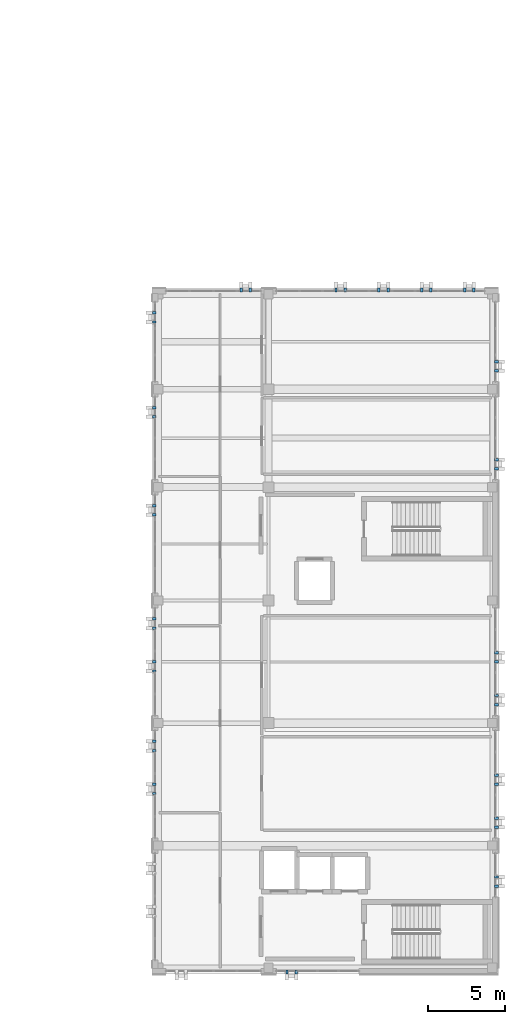
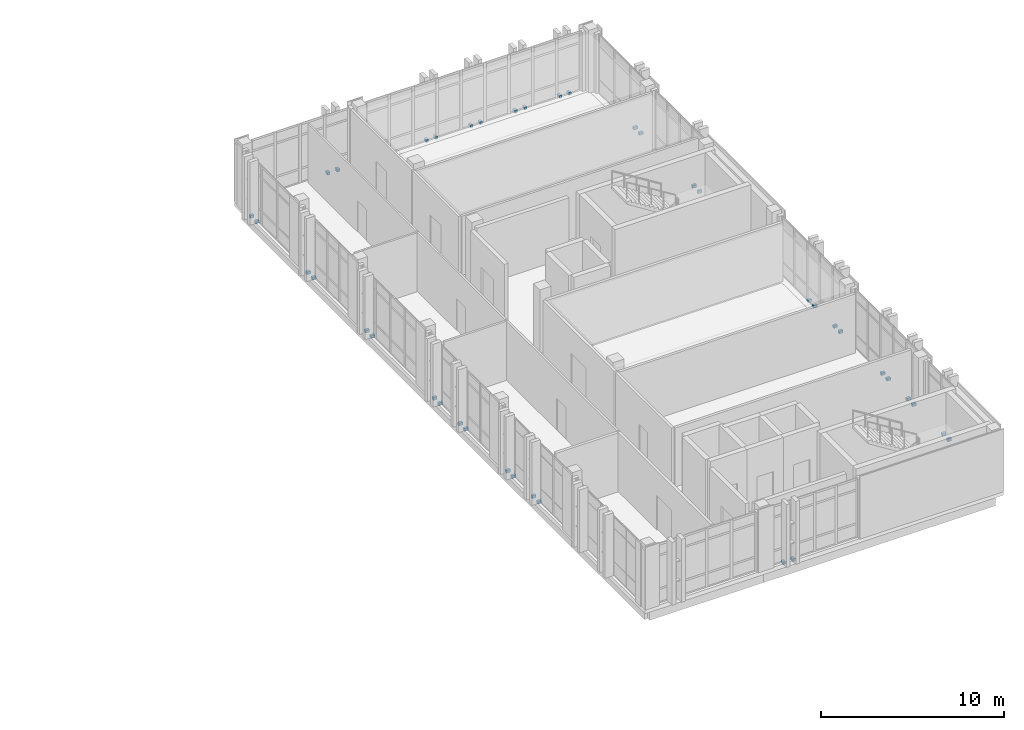
# One storey, part 67 of 77: 40 discrete accessories.
"""IFC4 building model written with IfcOpenShell, lengths in metres."""

from ifc_helpers import new_model, si_unit, direction, frame, origin, origin_2d, place, context, subcontext, project, spatial, rectangle, extrude, material, type_object, element, save


model = new_model("IFC4")

# Units and contexts
model_context = context("Model", 3, precision=1e-05, world=origin(), true_north=direction((0.0, 1.0)))
body_context = subcontext(model_context, "Body", "Model", "MODEL_VIEW")
ifc_project = project(units=[si_unit("LENGTHUNIT", "METRE"), si_unit("AREAUNIT", "SQUARE_METRE"), si_unit("VOLUMEUNIT", "CUBIC_METRE"), si_unit("PLANEANGLEUNIT", "RADIAN"), si_unit("MASSUNIT", "GRAM", prefix="KILO")], contexts=[model_context])

# Site, building, storey
site_placement = place(None, origin())
site = spatial("IfcSite", under=ifc_project, at=site_placement, CompositionType="ELEMENT")
building_placement = place(site_placement, origin())
building = spatial("IfcBuilding", under=site, at=building_placement, Name="Qalavern Law Courts", CompositionType="ELEMENT")
storey_placement = place(building_placement, frame((0.0, 0.0, 27.0)))
storey = spatial("IfcBuildingStorey", under=building, at=storey_placement, Name="L06", CompositionType="ELEMENT", Elevation=27.0)

# Discrete accessories
ifc_material = material(Name="Steel S355", Category="steel")
discrete_accessory_type = type_object("IfcDiscreteAccessoryType", Name="ENV-BRK-FIN", PredefinedType="BRACKET", material=ifc_material)
for number, where, z_axis, x_axis, name in (
    (1, (93.0, 41.14501953125, -0.06982421875), (0.0, 0.0, 1.0), (0.0, -1.0, 0.0), "Stone blade anchor bracket 0761"),
    (2, (93.60009765625, 41.14501953125, -0.06982421875), (0.0, 0.0, 1.0), (0.0, -1.0, 0.0), "Stone blade anchor bracket 0762"),
    (3, (106.675048828125, 46.75, -0.06982421875), (0.0, 0.0, 1.0), (1.0, 0.0, 0.0), "Stone blade anchor bracket 0763"),
    (4, (106.675048828125, 47.35009765625, -0.06982421875), (0.0, 0.0, 1.0), (1.0, 0.0, 0.0), "Stone blade anchor bracket 0764"),
    (5, (106.675048828125, 50.60009765625, -0.06982421875), (0.0, 0.0, 1.0), (1.0, 0.0, 0.0), "Stone blade anchor bracket 0765"),
    (6, (106.675048828125, 51.199951171875, -0.06982421875), (0.0, 0.0, 1.0), (1.0, 0.0, 0.0), "Stone blade anchor bracket 0766"),
    (7, (106.675048828125, 53.39990234375, -0.06982421875), (0.0, 0.0, 1.0), (1.0, 0.0, 0.0), "Stone blade anchor bracket 0767"),
    (8, (106.675048828125, 54.0, -0.06982421875), (0.0, 0.0, 1.0), (1.0, 0.0, 0.0), "Stone blade anchor bracket 0768"),
    (9, (106.675048828125, 58.60009765625, -0.06982421875), (0.0, 0.0, 1.0), (1.0, 0.0, 0.0), "Stone blade anchor bracket 0769"),
    (10, (106.675048828125, 59.199951171875, -0.06982421875), (0.0, 0.0, 1.0), (1.0, 0.0, 0.0), "Stone blade anchor bracket 0770"),
    (11, (106.675048828125, 61.39990234375, -0.06982421875), (0.0, 0.0, 1.0), (1.0, 0.0, 0.0), "Stone blade anchor bracket 0771"),
    (12, (106.675048828125, 62.0, -0.06982421875), (0.0, 0.0, 1.0), (1.0, 0.0, 0.0), "Stone blade anchor bracket 0772"),
    (13, (106.675048828125, 74.0, -0.06982421875), (0.0, 0.0, 1.0), (1.0, 0.0, 0.0), "Stone blade anchor bracket 0773"),
    (14, (106.675048828125, 74.60009765625, -0.06982421875), (0.0, 0.0, 1.0), (1.0, 0.0, 0.0), "Stone blade anchor bracket 0774"),
    (15, (106.675048828125, 80.39990234375, -0.06982421875), (0.0, 0.0, 1.0), (1.0, 0.0, 0.0), "Stone blade anchor bracket 0775"),
    (16, (106.675048828125, 81.0, -0.06982421875), (0.0, 0.0, 1.0), (1.0, 0.0, 0.0), "Stone blade anchor bracket 0776"),
    (17, (105.199951171875, 85.675048828125, -0.06982421875), (0.0, 0.0, 1.0), (0.0, 1.0, 0.0), "Stone blade anchor bracket 0777"),
    (18, (104.60009765625, 85.675048828125, -0.06982421875), (0.0, 0.0, 1.0), (0.0, 1.0, 0.0), "Stone blade anchor bracket 0778"),
    (19, (102.39990234375, 85.675048828125, -0.06982421875), (0.0, 0.0, 1.0), (0.0, 1.0, 0.0), "Stone blade anchor bracket 0779"),
    (20, (101.800048828125, 85.675048828125, -0.06982421875), (0.0, 0.0, 1.0), (0.0, 1.0, 0.0), "Stone blade anchor bracket 0780"),
    (21, (99.60009765625, 85.675048828125, -0.06982421875), (0.0, 0.0, 1.0), (0.0, 1.0, 0.0), "Stone blade anchor bracket 0781"),
    (22, (99.0, 85.675048828125, -0.06982421875), (0.0, 0.0, 1.0), (0.0, 1.0, 0.0), "Stone blade anchor bracket 0782"),
    (23, (96.800048828125, 85.675048828125, -0.06982421875), (0.0, 0.0, 1.0), (0.0, 1.0, 0.0), "Stone blade anchor bracket 0783"),
    (24, (96.199951171875, 85.675048828125, -0.06982421875), (0.0, 0.0, 1.0), (0.0, 1.0, 0.0), "Stone blade anchor bracket 0784"),
    (25, (90.60009765625, 85.675048828125, -0.06982421875), (0.0, 0.0, 1.0), (0.0, 1.0, 0.0), "Stone blade anchor bracket 0785"),
    (26, (90.0, 85.675048828125, -0.06982421875), (0.0, 0.0, 1.0), (0.0, 1.0, 0.0), "Stone blade anchor bracket 0786"),
    (27, (84.324951171875, 84.18505859375, -0.06982421875), (0.0, 0.0, 1.0), (-1.0, 0.0, 0.0), "Stone blade anchor bracket 0787"),
    (28, (84.324951171875, 83.5849609375, -0.06982421875), (0.0, 0.0, 1.0), (-1.0, 0.0, 0.0), "Stone blade anchor bracket 0788"),
    (29, (84.324951171875, 78.0, -0.06982421875), (0.0, 0.0, 1.0), (-1.0, 0.0, 0.0), "Stone blade anchor bracket 0789"),
    (30, (84.324951171875, 77.39990234375, -0.06982421875), (0.0, 0.0, 1.0), (-1.0, 0.0, 0.0), "Stone blade anchor bracket 0790"),
    (31, (84.324951171875, 71.60009765625, -0.06982421875), (0.0, 0.0, 1.0), (-1.0, 0.0, 0.0), "Stone blade anchor bracket 0791"),
    (32, (84.324951171875, 71.0, -0.06982421875), (0.0, 0.0, 1.0), (-1.0, 0.0, 0.0), "Stone blade anchor bracket 0792"),
    (33, (84.324951171875, 64.199951171875, -0.06982421875), (0.0, 0.0, 1.0), (-1.0, 0.0, 0.0), "Stone blade anchor bracket 0793"),
    (34, (84.324951171875, 63.60009765625, -0.06982421875), (0.0, 0.0, 1.0), (-1.0, 0.0, 0.0), "Stone blade anchor bracket 0794"),
    (35, (84.324951171875, 61.39990234375, -0.06982421875), (0.0, 0.0, 1.0), (-1.0, 0.0, 0.0), "Stone blade anchor bracket 0795"),
    (36, (84.324951171875, 60.800048828125, -0.06982421875), (0.0, 0.0, 1.0), (-1.0, 0.0, 0.0), "Stone blade anchor bracket 0796"),
    (37, (84.324951171875, 56.199951171875, -0.06982421875), (0.0, 0.0, 1.0), (-1.0, 0.0, 0.0), "Stone blade anchor bracket 0797"),
    (38, (84.324951171875, 55.60009765625, -0.06982421875), (0.0, 0.0, 1.0), (-1.0, 0.0, 0.0), "Stone blade anchor bracket 0798"),
    (39, (84.324951171875, 53.39990234375, -0.06982421875), (0.0, 0.0, 1.0), (-1.0, 0.0, 0.0), "Stone blade anchor bracket 0799"),
    (40, (84.324951171875, 52.800048828125, -0.06982421875), (0.0, 0.0, 1.0), (-1.0, 0.0, 0.0), "Stone blade anchor bracket 0800"),
):
    element("IfcDiscreteAccessory", number, at=place(storey_placement, frame(where, z_axis=z_axis, x_axis=x_axis)), inside=storey, type_object=discrete_accessory_type, Name=name, PredefinedType="BRACKET", context=body_context, shape_type="SweptSolid", body=[
        extrude(rectangle(XDim=0.239990234375, YDim=0.159912109375, at=origin_2d()), origin(), (0.0, 0.0, 1.0), 0.179931640625),
    ])

save(model, "model.ifc")
